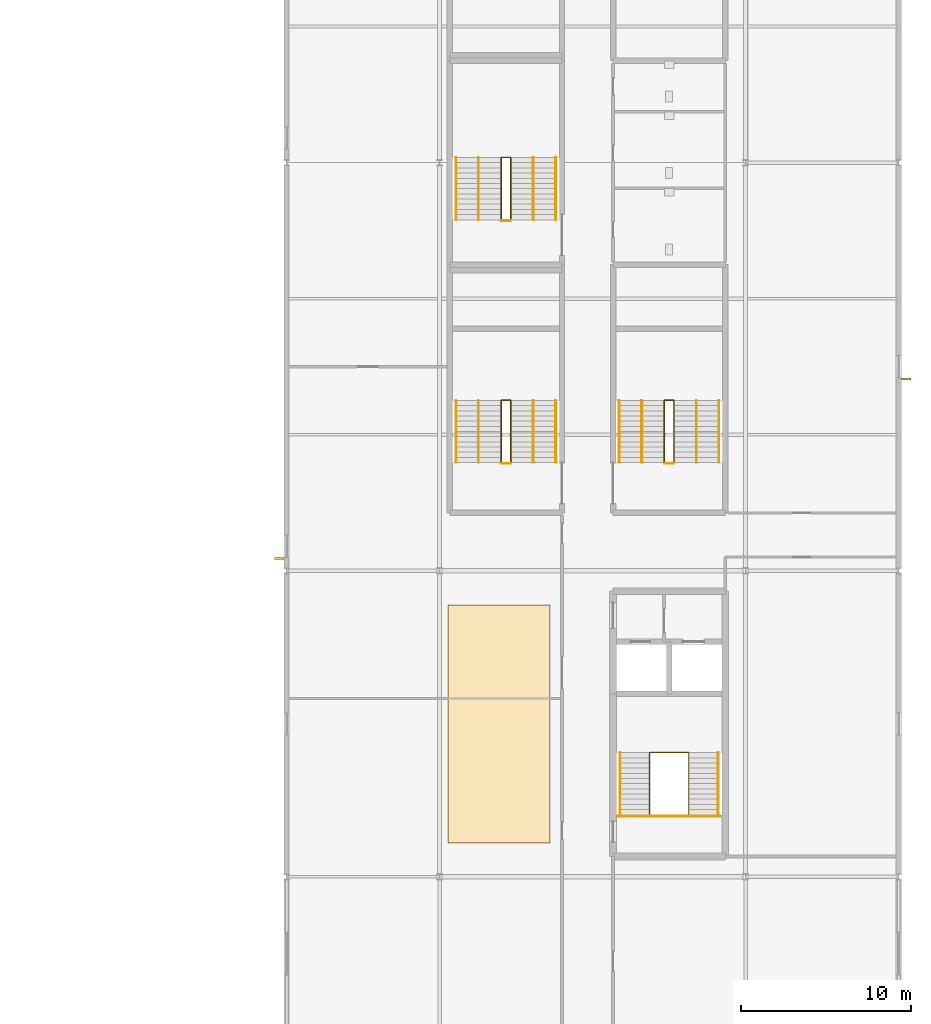
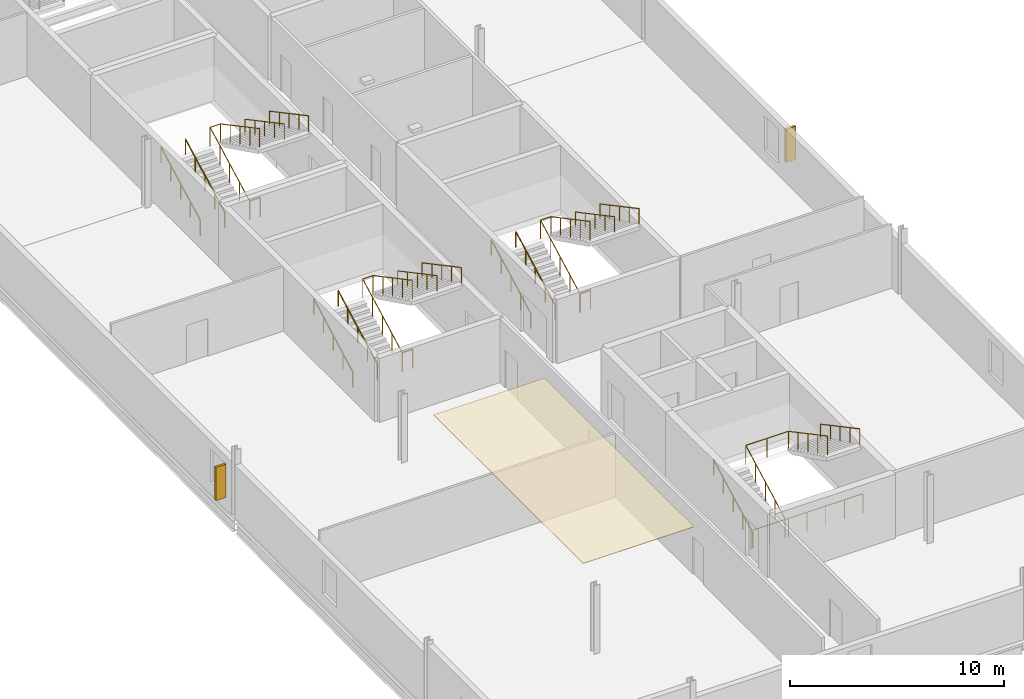
# One storey, part 25 of 27: 22 railings, 2 shading devices, 1 covering.
"""IFC4 building model written with IfcOpenShell, lengths in metres."""

import ifcopenshell
import ifcopenshell.guid

model = None  # the IFC model being written
_history = None  # IfcOwnerHistory: only IFC2X3 demands one
_inside = {}  # id of a spatial element -> (the spatial element, [elements in it])
_under = {}  # id of a project, library or spatial element -> (it, [spatial elements below it])
_declared = {}  # id of a project -> (the project, [libraries it declares])
_typed = {}  # id of a type object -> (the type object, [elements of that type])
_made_of = {}  # id of a material, layer set ... -> (it, [elements and type objects made of it])


def new_model(schema):
    """Start an empty IFC model of exactly this schema.

    Asked for "IFC4X3", IfcOpenShell would pick the latest addendum, in which some entities
    have other attributes; the version numbers below select the first issue.
    IFC2X3 requires an IfcOwnerHistory on every rooted entity: one is made here for all.
    """
    global model, _history
    if schema == "IFC4X3":
        model = ifcopenshell.file(schema_version=(4, 3, 0, 0))
    else:
        model = ifcopenshell.file(schema=schema)
    _inside.clear()
    _under.clear()
    _declared.clear()
    _typed.clear()
    _made_of.clear()
    _history = None
    if model.schema == "IFC2X3":
        org = make("IfcOrganization", Name="unknown")
        user = make(
            "IfcPersonAndOrganization",
            ThePerson=make("IfcPerson", FamilyName="unknown"),
            TheOrganization=org,
        )
        app = make(
            "IfcApplication",
            ApplicationDeveloper=org,
            Version="unknown",
            ApplicationFullName="unknown",
            ApplicationIdentifier="unknown",
        )
        _history = make(
            "IfcOwnerHistory",
            OwningUser=user,
            OwningApplication=app,
            ChangeAction="ADDED",
            CreationDate=0,
        )
    return model


def make(cls, **values):
    """One entity of the class cls with the attributes given. An attribute that is None is left unset."""
    return model.create_entity(
        cls, **{name: value for name, value in values.items() if value is not None}
    )


def rooted(cls, **values):
    """An entity with a GlobalId (a new one), such as an element, a storey or a relation."""
    return make(cls, GlobalId=ifcopenshell.guid.new(), OwnerHistory=_history, **values)


def si_unit(unit_type, name, prefix=None):
    """IfcSIUnit, for example si_unit("LENGTHUNIT", "METRE", prefix="MILLI")."""
    return make("IfcSIUnit", UnitType=unit_type, Prefix=prefix, Name=name)


def assignment(units):
    """IfcUnitAssignment: the units of a project."""
    return None if units is None else make("IfcUnitAssignment", Units=units)


def point(xyz):
    """IfcCartesianPoint."""
    return None if xyz is None else make("IfcCartesianPoint", Coordinates=xyz)


def direction(xyz):
    """IfcDirection."""
    return None if xyz is None else make("IfcDirection", DirectionRatios=xyz)


def frame(location, z_axis=None, x_axis=None):
    """IfcAxis2Placement3D, a coordinate frame: its origin and axes. An axis left out is left unset."""
    return make(
        "IfcAxis2Placement3D",
        Location=point(location),
        Axis=direction(z_axis),
        RefDirection=direction(x_axis),
    )


def frame_2d(location, x_axis=None):
    """IfcAxis2Placement2D, a coordinate frame in the plane: its origin and x axis."""
    return make(
        "IfcAxis2Placement2D", Location=point(location), RefDirection=direction(x_axis)
    )


def origin():
    """The frame at (0, 0, 0) with its axes left unset."""
    return frame((0.0, 0.0, 0.0))


def origin_2d():
    """The frame at (0, 0) in the plane with its x axis left unset."""
    return frame_2d((0.0, 0.0))


def place(relative_to, where):
    """IfcLocalPlacement: puts the frame where relative to a parent placement (None: the world)."""
    return make(
        "IfcLocalPlacement", PlacementRelTo=relative_to, RelativePlacement=where
    )


def context(
    kind, dimensions, precision=None, world=None, true_north=None, identifier=None
):
    """IfcGeometricRepresentationContext, for example the 3D "Model" context."""
    return make(
        "IfcGeometricRepresentationContext",
        ContextIdentifier=identifier,
        ContextType=kind,
        CoordinateSpaceDimension=dimensions,
        Precision=precision,
        WorldCoordinateSystem=world,
        TrueNorth=true_north,
    )


def subcontext(parent, identifier, kind, view, scale=None):
    """IfcGeometricRepresentationSubContext, for example "Body" below "Model"."""
    return make(
        "IfcGeometricRepresentationSubContext",
        ContextIdentifier=identifier,
        ContextType=kind,
        ParentContext=parent,
        TargetScale=scale,
        TargetView=view,
    )


def project(units=None, contexts=None):
    """IfcProject with its units and contexts."""
    return rooted(
        "IfcProject",
        Name="project",
        RepresentationContexts=contexts,
        UnitsInContext=assignment(units),
    )


def spatial(cls, under=None, at=None, **own):
    """A site, building, storey or space (cls), placed at a placement, below another one or the project."""
    s = rooted(cls, ObjectPlacement=at, **own)
    if under is not None:
        _under.setdefault(under.id(), (under, []))[1].append(s)
    return s


def polyline(points):
    """IfcPolyline through the points."""
    return make("IfcPolyline", Points=[point(p) for p in points])


def profile(cls, at=None, kind="AREA", **sizes):
    """A parametric profile (cls). Its sizes go by their IFC names, for example OverallWidth=200.0."""
    return make(cls, ProfileType=kind, Position=at, **sizes)


def rectangle(**sizes):
    """IfcRectangleProfileDef."""
    return profile("IfcRectangleProfileDef", **sizes)


def circle(**sizes):
    """IfcCircleProfileDef."""
    return profile("IfcCircleProfileDef", **sizes)


def outline(outer, holes=None, kind="AREA"):
    """IfcArbitraryClosedProfileDef: a profile drawn as a closed curve; with holes, ...WithVoids."""
    if holes is None:
        return make("IfcArbitraryClosedProfileDef", ProfileType=kind, OuterCurve=outer)
    return make(
        "IfcArbitraryProfileDefWithVoids",
        ProfileType=kind,
        OuterCurve=outer,
        InnerCurves=holes,
    )


def extrude(swept, where, along, depth):
    """IfcExtrudedAreaSolid: the profile swept, set in the frame where, extruded along a direction by depth."""
    return make(
        "IfcExtrudedAreaSolid",
        SweptArea=swept,
        Position=where,
        ExtrudedDirection=direction(along),
        Depth=depth,
    )


def shape(context_of_items, identifier, shape_type, items):
    """IfcShapeRepresentation: the items that make up one representation, for example the "Body"."""
    return make(
        "IfcShapeRepresentation",
        ContextOfItems=context_of_items,
        RepresentationIdentifier=identifier,
        RepresentationType=shape_type,
        Items=items,
    )


def material(Name=None, Category=None):
    """IfcMaterial."""
    return make("IfcMaterial", Name=Name, Category=Category)


def layer(
    of_material, thickness, ventilated=None, Name=None, Category=None, Priority=None
):
    """IfcMaterialLayer: one layer of a wall or slab, of a material (None: an air gap)."""
    return make(
        "IfcMaterialLayer",
        Material=of_material,
        LayerThickness=thickness,
        IsVentilated=ventilated,
        Name=Name,
        Category=Category,
        Priority=Priority,
    )


def layer_set(layers, Name=None):
    """IfcMaterialLayerSet."""
    return make("IfcMaterialLayerSet", MaterialLayers=layers, LayerSetName=Name)


def made_of(thing, what):
    """Note that an element or type object is made of a material, layer set ...; save() writes the relation."""
    if what is not None:
        _made_of.setdefault(what.id(), (what, []))[1].append(thing)
    return thing


def type_object(cls, material=None, **own):
    """A type object (cls), such as IfcWallType, which elements share."""
    return made_of(rooted(cls, **own), material)


def element(
    cls,
    number,
    at=None,
    inside=None,
    cuts=None,
    type_object=None,
    material=None,
    context=None,
    identifier="Body",
    shape_type=None,
    held_by="IfcProductDefinitionShape",
    body=None,
    shapes=None,
    **own,
):
    """One element of the class cls, such as IfcWall. Its Tag is "e" and its number.

    at: its placement. inside: the storey or other place that contains it. cuts: it is an
    opening in that element (IfcRelVoidsElement). A single representation is given by context,
    identifier, shape_type and body (its items); several are given by shapes. held_by: the class
    of the entity that holds the representations. save() writes the other relations.
    """
    e = rooted(cls, Tag="e%d" % number, ObjectPlacement=at, **own)
    if body is not None:
        shapes = [shape(context, identifier, shape_type, body)]
    if shapes is not None:
        e.Representation = make(held_by, Representations=shapes)
    if inside is not None:
        _inside.setdefault(inside.id(), (inside, []))[1].append(e)
    if cuts is not None:
        rooted(
            "IfcRelVoidsElement", RelatingBuildingElement=cuts, RelatedOpeningElement=e
        )
    if type_object is not None:
        _typed.setdefault(type_object.id(), (type_object, []))[1].append(e)
    return made_of(e, material)


def aggregate(whole, parts):
    """IfcRelAggregates: a whole, such as a stair, and the parts it consists of."""
    return rooted("IfcRelAggregates", RelatingObject=whole, RelatedObjects=parts)


def save(model, path):
    """Write the relations noted so far, then the file.

    IfcRelAggregates (storeys below a building ...), IfcRelContainedInSpatialStructure (elements
    in a storey), IfcRelDefinesByType, IfcRelAssociatesMaterial and IfcRelDeclares: one each for
    every whole, place, type object, material and project.
    """
    for whole, parts in _under.values():
        aggregate(whole, parts)
    for where, things in _inside.values():
        rooted(
            "IfcRelContainedInSpatialStructure",
            RelatedElements=things,
            RelatingStructure=where,
        )
    for kind, things in _typed.values():
        rooted("IfcRelDefinesByType", RelatedObjects=things, RelatingType=kind)
    for what, things in _made_of.values():
        rooted("IfcRelAssociatesMaterial", RelatedObjects=things, RelatingMaterial=what)
    for by, libraries in _declared.values():
        rooted("IfcRelDeclares", RelatingContext=by, RelatedDefinitions=libraries)
    model.write(path)


model = new_model("IFC4")

# Units and contexts
model_context = context("Model", 3, precision=1e-05, world=origin(), true_north=direction((0.0, 1.0)))
body_context = subcontext(model_context, "Body", "Model", "MODEL_VIEW")
ifc_project = project(units=[si_unit("LENGTHUNIT", "METRE"), si_unit("AREAUNIT", "SQUARE_METRE"), si_unit("VOLUMEUNIT", "CUBIC_METRE"), si_unit("PLANEANGLEUNIT", "RADIAN"), si_unit("MASSUNIT", "GRAM", prefix="KILO")], contexts=[model_context])

# Site, building, storey
site_placement = place(None, origin())
site = spatial("IfcSite", under=ifc_project, at=site_placement, CompositionType="ELEMENT")
building_placement = place(site_placement, origin())
building = spatial("IfcBuilding", under=site, at=building_placement, Name="Kisiwana Market Hall", CompositionType="ELEMENT")
storey_placement = place(building_placement, frame((0.0, 0.0, 41.699951171875)))
storey = spatial("IfcBuildingStorey", under=building, at=storey_placement, Name="L09", CompositionType="ELEMENT", Elevation=41.699951171875)

# Covering
ifc_material_1 = material(Name="Mineral-fibre acoustic ceiling board")
ifc_layer = layer(ifc_material_1, 0.02490234375)
ifc_layer_set = layer_set([ifc_layer], Name="COV-CEIL-AC")
covering_type = type_object("IfcCoveringType", Name="COV-CEIL-AC", PredefinedType="CEILING", material=ifc_layer_set)
covering_placement = place(storey_placement, frame((0.0, 0.0, 3.630126953125)))
element("IfcCovering", 1, at=covering_placement, inside=storey, type_object=covering_type, Name="Acoustic ceiling grid L09-024", PredefinedType="CEILING", context=body_context, shape_type="SweptSolid", body=[
    extrude(outline(polyline([(171.5, 20.0), (177.5, 20.0), (177.5, 34.0), (171.5, 34.0), (171.5, 20.0)])), origin(), (0.0, 0.0, 1.0), 0.02490234375),
])

# Railings
ifc_material_2 = material(Name="Steel S275", Category="steel")
railing_type_1 = type_object("IfcRailingType", Name="RL-GUARD-1100", PredefinedType="GUARDRAIL", material=ifc_material_2)
railing_1_placement = place(storey_placement, frame((183.35009765625, 21.6494140625, 0.0)))
element("IfcRailing", 2, at=railing_1_placement, inside=storey, type_object=railing_type_1, Name="Stair ST-E2-L09 inner-well guardrail (RL-1215)", PredefinedType="GUARDRAIL", context=body_context, shape_type="SweptSolid", body=[
    extrude(circle(Radius=0.02392578125, at=origin_2d()), frame((0.0, 0.0, 1.076171875), z_axis=(0.0, 0.882566327451, 0.470187917379), x_axis=(-1.0, 0.0, 0.0)), (0.0, 0.0, 1.0), 4.147216796875),
    extrude(circle(Radius=0.02392578125, at=origin_2d()), frame((0.0, 3.66015625, 3.02587890625), z_axis=(1.0, 0.0, 0.0), x_axis=(0.0, 1.0, 0.0)), (0.0, 0.0, 1.0), 2.2998046875),
    extrude(circle(Radius=0.02392578125, at=origin_2d()), frame((2.2998046875, 3.66015625, 3.02587890625), z_axis=(0.0, -0.882541897885, 0.470233770031), x_axis=(1.0, 0.0, 0.0)), (0.0, 0.0, 1.0), 4.147216796875),
    extrude(circle(Radius=0.02099609375, at=origin_2d()), origin(), (0.0, 0.0, 1.0), 1.052001953125),
    extrude(circle(Radius=0.02099609375, at=origin_2d()), frame((0.0, 0.9150390625, 0.487548828125)), (0.0, 0.0, 1.0), 1.052001953125),
    extrude(circle(Radius=0.02099609375, at=origin_2d()), frame((0.0, 1.830078125, 0.97509765625)), (0.0, 0.0, 1.0), 1.052001953125),
    extrude(circle(Radius=0.02099609375, at=origin_2d()), frame((0.0, 2.7451171875, 1.46240234375)), (0.0, 0.0, 1.0), 1.052001953125),
    extrude(circle(Radius=0.02099609375, at=origin_2d()), frame((0.0, 3.66015625, 1.949951171875)), (0.0, 0.0, 1.0), 1.052001953125),
    extrude(circle(Radius=0.02099609375, at=origin_2d()), frame((1.14990234375, 3.66015625, 1.949951171875)), (0.0, 0.0, 1.0), 1.052001953125),
    extrude(circle(Radius=0.02099609375, at=origin_2d()), frame((2.2998046875, 3.66015625, 1.949951171875)), (0.0, 0.0, 1.0), 1.052001953125),
    extrude(circle(Radius=0.02099609375, at=origin_2d()), frame((2.2998046875, 2.7451171875, 2.4375)), (0.0, 0.0, 1.0), 1.052001953125),
    extrude(circle(Radius=0.02099609375, at=origin_2d()), frame((2.2998046875, 1.830078125, 2.925048828125)), (0.0, 0.0, 1.0), 1.052001953125),
    extrude(circle(Radius=0.02099609375, at=origin_2d()), frame((2.2998046875, 0.9150390625, 3.41259765625)), (0.0, 0.0, 1.0), 1.052001953125),
    extrude(circle(Radius=0.02099609375, at=origin_2d()), frame((2.2998046875, 0.0, 3.900146484375)), (0.0, 0.0, 1.0), 1.052001953125),
])
railing_2_placement = place(storey_placement, frame((181.47998046875, 21.569580078125, 0.0)))
element("IfcRailing", 3, at=railing_2_placement, inside=storey, type_object=railing_type_1, Name="Stair ST-E2-L09 landing edge guardrail (RL-1218)", PredefinedType="GUARDRAIL", context=body_context, shape_type="SweptSolid", body=[
    extrude(circle(Radius=0.02392578125, at=origin_2d()), frame((0.0, 0.0, 1.076171875), z_axis=(1.0, 0.0, 0.0), x_axis=(0.0, 1.0, 0.0)), (0.0, 0.0, 1.0), 6.0400390625),
    extrude(circle(Radius=0.02099609375, at=origin_2d()), origin(), (0.0, 0.0, 1.0), 1.052001953125),
    extrude(circle(Radius=0.02099609375, at=origin_2d()), frame((1.006591796875, 0.0, 0.0)), (0.0, 0.0, 1.0), 1.052001953125),
    extrude(circle(Radius=0.02099609375, at=origin_2d()), frame((2.013427734375, 0.0, 0.0)), (0.0, 0.0, 1.0), 1.052001953125),
    extrude(circle(Radius=0.02099609375, at=origin_2d()), frame((3.02001953125, 0.0, 0.0)), (0.0, 0.0, 1.0), 1.052001953125),
    extrude(circle(Radius=0.02099609375, at=origin_2d()), frame((4.026611328125, 0.0, 0.0)), (0.0, 0.0, 1.0), 1.052001953125),
    extrude(circle(Radius=0.02099609375, at=origin_2d()), frame((5.033447265625, 0.0, 0.0)), (0.0, 0.0, 1.0), 1.052001953125),
    extrude(circle(Radius=0.02099609375, at=origin_2d()), frame((6.0400390625, 0.0, 0.0)), (0.0, 0.0, 1.0), 1.052001953125),
])
railing_3_placement = place(storey_placement, frame((184.219970703125, 42.360107421875, 0.0)))
element("IfcRailing", 4, at=railing_3_placement, inside=storey, type_object=railing_type_1, Name="Stair ST-E3-L09 inner-well guardrail (RL-1235)", PredefinedType="GUARDRAIL", context=body_context, shape_type="SweptSolid", body=[
    extrude(circle(Radius=0.02392578125, at=origin_2d()), frame((0.0, 0.0, 1.076171875), z_axis=(0.0, 0.88255331184, 0.47021234752), x_axis=(-1.0, 0.0, 0.0)), (0.0, 0.0, 1.0), 4.14697265625),
    extrude(circle(Radius=0.02392578125, at=origin_2d()), frame((0.0, 3.659912109375, 3.02587890625), z_axis=(1.0, 0.0, 0.0), x_axis=(0.0, 1.0, 0.0)), (0.0, 0.0, 1.0), 0.56005859375),
    extrude(circle(Radius=0.02392578125, at=origin_2d()), frame((0.56005859375, 3.659912109375, 3.02587890625), z_axis=(0.0, -0.882528880096, 0.470258201201), x_axis=(1.0, 0.0, 0.0)), (0.0, 0.0, 1.0), 4.14697265625),
    extrude(circle(Radius=0.02099609375, at=origin_2d()), origin(), (0.0, 0.0, 1.0), 1.052001953125),
    extrude(circle(Radius=0.02099609375, at=origin_2d()), frame((0.0, 0.9150390625, 0.487548828125)), (0.0, 0.0, 1.0), 1.052001953125),
    extrude(circle(Radius=0.02099609375, at=origin_2d()), frame((0.0, 1.830078125, 0.97509765625)), (0.0, 0.0, 1.0), 1.052001953125),
    extrude(circle(Radius=0.02099609375, at=origin_2d()), frame((0.0, 2.744873046875, 1.46240234375)), (0.0, 0.0, 1.0), 1.052001953125),
    extrude(circle(Radius=0.02099609375, at=origin_2d()), frame((0.0, 3.659912109375, 1.949951171875)), (0.0, 0.0, 1.0), 1.052001953125),
    extrude(circle(Radius=0.02099609375, at=origin_2d()), frame((0.56005859375, 3.659912109375, 1.949951171875)), (0.0, 0.0, 1.0), 1.052001953125),
    extrude(circle(Radius=0.02099609375, at=origin_2d()), frame((0.56005859375, 2.744873046875, 2.4375)), (0.0, 0.0, 1.0), 1.052001953125),
    extrude(circle(Radius=0.02099609375, at=origin_2d()), frame((0.56005859375, 1.830078125, 2.925048828125)), (0.0, 0.0, 1.0), 1.052001953125),
    extrude(circle(Radius=0.02099609375, at=origin_2d()), frame((0.56005859375, 0.9150390625, 3.41259765625)), (0.0, 0.0, 1.0), 1.052001953125),
    extrude(circle(Radius=0.02099609375, at=origin_2d()), frame((0.56005859375, 0.0, 3.900146484375)), (0.0, 0.0, 1.0), 1.052001953125),
])
railing_4_placement = place(storey_placement, frame((184.219970703125, 42.31005859375, 0.0)))
element("IfcRailing", 5, at=railing_4_placement, inside=storey, type_object=railing_type_1, Name="Stair ST-E3-L09 landing edge guardrail (RL-1240)", PredefinedType="GUARDRAIL", context=body_context, shape_type="SweptSolid", body=[
    extrude(circle(Radius=0.02392578125, at=origin_2d()), frame((0.0, 0.0, 1.076171875), z_axis=(1.0, 0.0, 0.0), x_axis=(0.0, 1.0, 0.0)), (0.0, 0.0, 1.0), 0.56005859375),
    extrude(circle(Radius=0.02099609375, at=origin_2d()), origin(), (0.0, 0.0, 1.0), 1.052001953125),
    extrude(circle(Radius=0.02099609375, at=origin_2d()), frame((0.56005859375, 0.0, 0.0)), (0.0, 0.0, 1.0), 1.052001953125),
])
railing_5_placement = place(storey_placement, frame((174.6201171875, 42.360107421875, 0.0)))
element("IfcRailing", 6, at=railing_5_placement, inside=storey, type_object=railing_type_1, Name="Stair ST-E7-L09 inner-well guardrail (RL-1253)", PredefinedType="GUARDRAIL", context=body_context, shape_type="SweptSolid", body=[
    extrude(circle(Radius=0.02392578125, at=origin_2d()), frame((0.0, 0.0, 1.076171875), z_axis=(0.0, 0.88255331184, 0.47021234752), x_axis=(-1.0, 0.0, 0.0)), (0.0, 0.0, 1.0), 4.14697265625),
    extrude(circle(Radius=0.02392578125, at=origin_2d()), frame((0.0, 3.659912109375, 3.02587890625), z_axis=(1.0, 0.0, 0.0), x_axis=(0.0, 1.0, 0.0)), (0.0, 0.0, 1.0), 0.559814453125),
    extrude(circle(Radius=0.02392578125, at=origin_2d()), frame((0.559814453125, 3.659912109375, 3.02587890625), z_axis=(0.0, -0.882528880096, 0.470258201201), x_axis=(1.0, 0.0, 0.0)), (0.0, 0.0, 1.0), 4.14697265625),
    extrude(circle(Radius=0.02099609375, at=origin_2d()), origin(), (0.0, 0.0, 1.0), 1.052001953125),
    extrude(circle(Radius=0.02099609375, at=origin_2d()), frame((0.0, 0.9150390625, 0.487548828125)), (0.0, 0.0, 1.0), 1.052001953125),
    extrude(circle(Radius=0.02099609375, at=origin_2d()), frame((0.0, 1.830078125, 0.97509765625)), (0.0, 0.0, 1.0), 1.052001953125),
    extrude(circle(Radius=0.02099609375, at=origin_2d()), frame((0.0, 2.744873046875, 1.46240234375)), (0.0, 0.0, 1.0), 1.052001953125),
    extrude(circle(Radius=0.02099609375, at=origin_2d()), frame((0.0, 3.659912109375, 1.949951171875)), (0.0, 0.0, 1.0), 1.052001953125),
    extrude(circle(Radius=0.02099609375, at=origin_2d()), frame((0.559814453125, 3.659912109375, 1.949951171875)), (0.0, 0.0, 1.0), 1.052001953125),
    extrude(circle(Radius=0.02099609375, at=origin_2d()), frame((0.559814453125, 2.744873046875, 2.4375)), (0.0, 0.0, 1.0), 1.052001953125),
    extrude(circle(Radius=0.02099609375, at=origin_2d()), frame((0.559814453125, 1.830078125, 2.925048828125)), (0.0, 0.0, 1.0), 1.052001953125),
    extrude(circle(Radius=0.02099609375, at=origin_2d()), frame((0.559814453125, 0.9150390625, 3.41259765625)), (0.0, 0.0, 1.0), 1.052001953125),
    extrude(circle(Radius=0.02099609375, at=origin_2d()), frame((0.559814453125, 0.0, 3.900146484375)), (0.0, 0.0, 1.0), 1.052001953125),
])
railing_6_placement = place(storey_placement, frame((174.6201171875, 42.31005859375, 0.0)))
element("IfcRailing", 7, at=railing_6_placement, inside=storey, type_object=railing_type_1, Name="Stair ST-E7-L09 landing edge guardrail (RL-1258)", PredefinedType="GUARDRAIL", context=body_context, shape_type="SweptSolid", body=[
    extrude(circle(Radius=0.02392578125, at=origin_2d()), frame((0.0, 0.0, 1.076171875), z_axis=(1.0, 0.0, 0.0), x_axis=(0.0, 1.0, 0.0)), (0.0, 0.0, 1.0), 0.559814453125),
    extrude(circle(Radius=0.02099609375, at=origin_2d()), origin(), (0.0, 0.0, 1.0), 1.052001953125),
    extrude(circle(Radius=0.02099609375, at=origin_2d()), frame((0.559814453125, 0.0, 0.0)), (0.0, 0.0, 1.0), 1.052001953125),
])
railing_7_placement = place(storey_placement, frame((174.6201171875, 56.639892578125, 0.0)))
element("IfcRailing", 8, at=railing_7_placement, inside=storey, type_object=railing_type_1, Name="Stair ST-E5-L09 inner-well guardrail (RL-1277)", PredefinedType="GUARDRAIL", context=body_context, shape_type="SweptSolid", body=[
    extrude(circle(Radius=0.02392578125, at=origin_2d()), frame((0.0, 0.0, 1.076171875), z_axis=(0.0, 0.882566327451, 0.470187917379), x_axis=(-1.0, 0.0, 0.0)), (0.0, 0.0, 1.0), 4.147216796875),
    extrude(circle(Radius=0.02392578125, at=origin_2d()), frame((0.0, 3.66015625, 3.02587890625), z_axis=(1.0, 0.0, 0.0), x_axis=(0.0, 1.0, 0.0)), (0.0, 0.0, 1.0), 0.559814453125),
    extrude(circle(Radius=0.02392578125, at=origin_2d()), frame((0.559814453125, 3.66015625, 3.02587890625), z_axis=(0.0, -0.882541897885, 0.470233770031), x_axis=(1.0, 0.0, 0.0)), (0.0, 0.0, 1.0), 4.147216796875),
    extrude(circle(Radius=0.02099609375, at=origin_2d()), origin(), (0.0, 0.0, 1.0), 1.052001953125),
    extrude(circle(Radius=0.02099609375, at=origin_2d()), frame((0.0, 0.9150390625, 0.487548828125)), (0.0, 0.0, 1.0), 1.052001953125),
    extrude(circle(Radius=0.02099609375, at=origin_2d()), frame((0.0, 1.830078125, 0.97509765625)), (0.0, 0.0, 1.0), 1.052001953125),
    extrude(circle(Radius=0.02099609375, at=origin_2d()), frame((0.0, 2.7451171875, 1.46240234375)), (0.0, 0.0, 1.0), 1.052001953125),
    extrude(circle(Radius=0.02099609375, at=origin_2d()), frame((0.0, 3.66015625, 1.949951171875)), (0.0, 0.0, 1.0), 1.052001953125),
    extrude(circle(Radius=0.02099609375, at=origin_2d()), frame((0.559814453125, 3.66015625, 1.949951171875)), (0.0, 0.0, 1.0), 1.052001953125),
    extrude(circle(Radius=0.02099609375, at=origin_2d()), frame((0.559814453125, 2.7451171875, 2.4375)), (0.0, 0.0, 1.0), 1.052001953125),
    extrude(circle(Radius=0.02099609375, at=origin_2d()), frame((0.559814453125, 1.830078125, 2.925048828125)), (0.0, 0.0, 1.0), 1.052001953125),
    extrude(circle(Radius=0.02099609375, at=origin_2d()), frame((0.559814453125, 0.9150390625, 3.41259765625)), (0.0, 0.0, 1.0), 1.052001953125),
    extrude(circle(Radius=0.02099609375, at=origin_2d()), frame((0.559814453125, 0.0, 3.900146484375)), (0.0, 0.0, 1.0), 1.052001953125),
])
railing_8_placement = place(storey_placement, frame((174.6201171875, 56.590087890625, 0.0)))
element("IfcRailing", 9, at=railing_8_placement, inside=storey, type_object=railing_type_1, Name="Stair ST-E5-L09 landing edge guardrail (RL-1282)", PredefinedType="GUARDRAIL", context=body_context, shape_type="SweptSolid", body=[
    extrude(circle(Radius=0.02392578125, at=origin_2d()), frame((0.0, 0.0, 1.076171875), z_axis=(1.0, 0.0, 0.0), x_axis=(0.0, 1.0, 0.0)), (0.0, 0.0, 1.0), 0.559814453125),
    extrude(circle(Radius=0.02099609375, at=origin_2d()), origin(), (0.0, 0.0, 1.0), 1.052001953125),
    extrude(circle(Radius=0.02099609375, at=origin_2d()), frame((0.559814453125, 0.0, 0.0)), (0.0, 0.0, 1.0), 1.052001953125),
])
ifc_material_3 = material(Name="Steel S275", Category="steel")
railing_type_2 = type_object("IfcRailingType", Name="RL-HAND-900", PredefinedType="HANDRAIL", material=ifc_material_3)
railing_9_placement = place(storey_placement, frame((181.610107421875, 21.6494140625, 0.0)))
element("IfcRailing", 10, at=railing_9_placement, inside=storey, type_object=railing_type_2, Name="Stair ST-E2-L09 flight 1 handrail (RL-1216)", PredefinedType="HANDRAIL", context=body_context, shape_type="SweptSolid", body=[
    extrude(circle(Radius=0.02392578125, at=origin_2d()), frame((0.0, 0.0, 0.8759765625), z_axis=(0.0, 0.882566327451, 0.470187917379), x_axis=(-1.0, 0.0, 0.0)), (0.0, 0.0, 1.0), 4.147216796875),
    extrude(circle(Radius=0.02099609375, at=origin_2d()), origin(), (0.0, 0.0, 1.0), 0.851806640625),
    extrude(circle(Radius=0.02099609375, at=origin_2d()), frame((0.0, 0.9150390625, 0.487548828125)), (0.0, 0.0, 1.0), 0.851806640625),
    extrude(circle(Radius=0.02099609375, at=origin_2d()), frame((0.0, 1.830078125, 0.97509765625)), (0.0, 0.0, 1.0), 0.851806640625),
    extrude(circle(Radius=0.02099609375, at=origin_2d()), frame((0.0, 2.7451171875, 1.46240234375)), (0.0, 0.0, 1.0), 0.851806640625),
    extrude(circle(Radius=0.02099609375, at=origin_2d()), frame((0.0, 3.66015625, 1.949951171875)), (0.0, 0.0, 1.0), 0.851806640625),
])
railing_10_placement = place(storey_placement, frame((187.389892578125, 25.3095703125, 1.949951171875)))
element("IfcRailing", 11, at=railing_10_placement, inside=storey, type_object=railing_type_2, Name="Stair ST-E2-L09 flight 2 handrail (RL-1217)", PredefinedType="HANDRAIL", context=body_context, shape_type="SweptSolid", body=[
    extrude(circle(Radius=0.02392578125, at=origin_2d()), frame((0.0, 0.0, 0.8759765625), z_axis=(0.0, -0.882541897885, 0.470233770031), x_axis=(1.0, 0.0, 0.0)), (0.0, 0.0, 1.0), 4.147216796875),
    extrude(circle(Radius=0.02099609375, at=origin_2d()), origin(), (0.0, 0.0, 1.0), 0.851806640625),
    extrude(circle(Radius=0.02099609375, at=origin_2d()), frame((0.0, -0.9150390625, 0.487548828125)), (0.0, 0.0, 1.0), 0.851806640625),
    extrude(circle(Radius=0.02099609375, at=origin_2d()), frame((0.0, -1.830078125, 0.97509765625)), (0.0, 0.0, 1.0), 0.851806640625),
    extrude(circle(Radius=0.02099609375, at=origin_2d()), frame((0.0, -2.7451171875, 1.462646484375)), (0.0, 0.0, 1.0), 0.851806640625),
    extrude(circle(Radius=0.02099609375, at=origin_2d()), frame((0.0, -3.66015625, 1.9501953125)), (0.0, 0.0, 1.0), 0.851806640625),
])
railing_11_placement = place(storey_placement, frame((181.570068359375, 42.360107421875, 0.0)))
element("IfcRailing", 12, at=railing_11_placement, inside=storey, type_object=railing_type_2, Name="Stair ST-E3-L09 flight 1 handrail (RL-1236)", PredefinedType="HANDRAIL", context=body_context, shape_type="SweptSolid", body=[
    extrude(circle(Radius=0.02392578125, at=origin_2d()), frame((0.0, 0.0, 0.8759765625), z_axis=(0.0, 0.88255331184, 0.47021234752), x_axis=(-1.0, 0.0, 0.0)), (0.0, 0.0, 1.0), 4.14697265625),
    extrude(circle(Radius=0.02099609375, at=origin_2d()), origin(), (0.0, 0.0, 1.0), 0.851806640625),
    extrude(circle(Radius=0.02099609375, at=origin_2d()), frame((0.0, 0.9150390625, 0.487548828125)), (0.0, 0.0, 1.0), 0.851806640625),
    extrude(circle(Radius=0.02099609375, at=origin_2d()), frame((0.0, 1.830078125, 0.97509765625)), (0.0, 0.0, 1.0), 0.851806640625),
    extrude(circle(Radius=0.02099609375, at=origin_2d()), frame((0.0, 2.744873046875, 1.46240234375)), (0.0, 0.0, 1.0), 0.851806640625),
    extrude(circle(Radius=0.02099609375, at=origin_2d()), frame((0.0, 3.659912109375, 1.949951171875)), (0.0, 0.0, 1.0), 0.851806640625),
])
railing_12_placement = place(storey_placement, frame((187.429931640625, 46.02001953125, 1.949951171875)))
element("IfcRailing", 13, at=railing_12_placement, inside=storey, type_object=railing_type_2, Name="Stair ST-E3-L09 flight 2 handrail (RL-1237)", PredefinedType="HANDRAIL", context=body_context, shape_type="SweptSolid", body=[
    extrude(circle(Radius=0.02392578125, at=origin_2d()), frame((0.0, 0.0, 0.8759765625), z_axis=(0.0, -0.882528880096, 0.470258201201), x_axis=(1.0, 0.0, 0.0)), (0.0, 0.0, 1.0), 4.14697265625),
    extrude(circle(Radius=0.02099609375, at=origin_2d()), origin(), (0.0, 0.0, 1.0), 0.851806640625),
    extrude(circle(Radius=0.02099609375, at=origin_2d()), frame((0.0, -0.9150390625, 0.487548828125)), (0.0, 0.0, 1.0), 0.851806640625),
    extrude(circle(Radius=0.02099609375, at=origin_2d()), frame((0.0, -1.830078125, 0.97509765625)), (0.0, 0.0, 1.0), 0.851806640625),
    extrude(circle(Radius=0.02099609375, at=origin_2d()), frame((0.0, -2.744873046875, 1.462646484375)), (0.0, 0.0, 1.0), 0.851806640625),
    extrude(circle(Radius=0.02099609375, at=origin_2d()), frame((0.0, -3.659912109375, 1.9501953125)), (0.0, 0.0, 1.0), 0.851806640625),
])
railing_13_placement = place(storey_placement, frame((182.889892578125, 42.360107421875, 0.0)))
element("IfcRailing", 14, at=railing_13_placement, inside=storey, type_object=railing_type_2, Name="Stair ST-E3-L09 flight 1 intermediate handrail (RL-1238)", PredefinedType="HANDRAIL", context=body_context, shape_type="SweptSolid", body=[
    extrude(circle(Radius=0.02392578125, at=origin_2d()), frame((0.0, 0.0, 0.8759765625), z_axis=(0.0, 0.88255331184, 0.47021234752), x_axis=(-1.0, 0.0, 0.0)), (0.0, 0.0, 1.0), 4.14697265625),
    extrude(circle(Radius=0.02099609375, at=origin_2d()), origin(), (0.0, 0.0, 1.0), 0.851806640625),
    extrude(circle(Radius=0.02099609375, at=origin_2d()), frame((0.0, 0.9150390625, 0.487548828125)), (0.0, 0.0, 1.0), 0.851806640625),
    extrude(circle(Radius=0.02099609375, at=origin_2d()), frame((0.0, 1.830078125, 0.97509765625)), (0.0, 0.0, 1.0), 0.851806640625),
    extrude(circle(Radius=0.02099609375, at=origin_2d()), frame((0.0, 2.744873046875, 1.46240234375)), (0.0, 0.0, 1.0), 0.851806640625),
    extrude(circle(Radius=0.02099609375, at=origin_2d()), frame((0.0, 3.659912109375, 1.949951171875)), (0.0, 0.0, 1.0), 0.851806640625),
])
railing_14_placement = place(storey_placement, frame((186.110107421875, 46.02001953125, 1.949951171875)))
element("IfcRailing", 15, at=railing_14_placement, inside=storey, type_object=railing_type_2, Name="Stair ST-E3-L09 flight 2 intermediate handrail (RL-1239)", PredefinedType="HANDRAIL", context=body_context, shape_type="SweptSolid", body=[
    extrude(circle(Radius=0.02392578125, at=origin_2d()), frame((0.0, 0.0, 0.8759765625), z_axis=(0.0, -0.882528880096, 0.470258201201), x_axis=(1.0, 0.0, 0.0)), (0.0, 0.0, 1.0), 4.14697265625),
    extrude(circle(Radius=0.02099609375, at=origin_2d()), origin(), (0.0, 0.0, 1.0), 0.851806640625),
    extrude(circle(Radius=0.02099609375, at=origin_2d()), frame((0.0, -0.9150390625, 0.487548828125)), (0.0, 0.0, 1.0), 0.851806640625),
    extrude(circle(Radius=0.02099609375, at=origin_2d()), frame((0.0, -1.830078125, 0.97509765625)), (0.0, 0.0, 1.0), 0.851806640625),
    extrude(circle(Radius=0.02099609375, at=origin_2d()), frame((0.0, -2.744873046875, 1.462646484375)), (0.0, 0.0, 1.0), 0.851806640625),
    extrude(circle(Radius=0.02099609375, at=origin_2d()), frame((0.0, -3.659912109375, 1.9501953125)), (0.0, 0.0, 1.0), 0.851806640625),
])
railing_15_placement = place(storey_placement, frame((171.969970703125, 42.360107421875, 0.0)))
element("IfcRailing", 16, at=railing_15_placement, inside=storey, type_object=railing_type_2, Name="Stair ST-E7-L09 flight 1 handrail (RL-1254)", PredefinedType="HANDRAIL", context=body_context, shape_type="SweptSolid", body=[
    extrude(circle(Radius=0.02392578125, at=origin_2d()), frame((0.0, 0.0, 0.8759765625), z_axis=(0.0, 0.88255331184, 0.47021234752), x_axis=(-1.0, 0.0, 0.0)), (0.0, 0.0, 1.0), 4.14697265625),
    extrude(circle(Radius=0.02099609375, at=origin_2d()), origin(), (0.0, 0.0, 1.0), 0.851806640625),
    extrude(circle(Radius=0.02099609375, at=origin_2d()), frame((0.0, 0.9150390625, 0.487548828125)), (0.0, 0.0, 1.0), 0.851806640625),
    extrude(circle(Radius=0.02099609375, at=origin_2d()), frame((0.0, 1.830078125, 0.97509765625)), (0.0, 0.0, 1.0), 0.851806640625),
    extrude(circle(Radius=0.02099609375, at=origin_2d()), frame((0.0, 2.744873046875, 1.46240234375)), (0.0, 0.0, 1.0), 0.851806640625),
    extrude(circle(Radius=0.02099609375, at=origin_2d()), frame((0.0, 3.659912109375, 1.949951171875)), (0.0, 0.0, 1.0), 0.851806640625),
])
railing_16_placement = place(storey_placement, frame((177.830078125, 46.02001953125, 1.949951171875)))
element("IfcRailing", 17, at=railing_16_placement, inside=storey, type_object=railing_type_2, Name="Stair ST-E7-L09 flight 2 handrail (RL-1255)", PredefinedType="HANDRAIL", context=body_context, shape_type="SweptSolid", body=[
    extrude(circle(Radius=0.02392578125, at=origin_2d()), frame((0.0, 0.0, 0.8759765625), z_axis=(0.0, -0.882528880096, 0.470258201201), x_axis=(1.0, 0.0, 0.0)), (0.0, 0.0, 1.0), 4.14697265625),
    extrude(circle(Radius=0.02099609375, at=origin_2d()), origin(), (0.0, 0.0, 1.0), 0.851806640625),
    extrude(circle(Radius=0.02099609375, at=origin_2d()), frame((0.0, -0.9150390625, 0.487548828125)), (0.0, 0.0, 1.0), 0.851806640625),
    extrude(circle(Radius=0.02099609375, at=origin_2d()), frame((0.0, -1.830078125, 0.97509765625)), (0.0, 0.0, 1.0), 0.851806640625),
    extrude(circle(Radius=0.02099609375, at=origin_2d()), frame((0.0, -2.744873046875, 1.462646484375)), (0.0, 0.0, 1.0), 0.851806640625),
    extrude(circle(Radius=0.02099609375, at=origin_2d()), frame((0.0, -3.659912109375, 1.9501953125)), (0.0, 0.0, 1.0), 0.851806640625),
])
railing_17_placement = place(storey_placement, frame((173.2900390625, 42.360107421875, 0.0)))
element("IfcRailing", 18, at=railing_17_placement, inside=storey, type_object=railing_type_2, Name="Stair ST-E7-L09 flight 1 intermediate handrail (RL-1256)", PredefinedType="HANDRAIL", context=body_context, shape_type="SweptSolid", body=[
    extrude(circle(Radius=0.02392578125, at=origin_2d()), frame((0.0, 0.0, 0.8759765625), z_axis=(0.0, 0.88255331184, 0.47021234752), x_axis=(-1.0, 0.0, 0.0)), (0.0, 0.0, 1.0), 4.14697265625),
    extrude(circle(Radius=0.02099609375, at=origin_2d()), origin(), (0.0, 0.0, 1.0), 0.851806640625),
    extrude(circle(Radius=0.02099609375, at=origin_2d()), frame((0.0, 0.9150390625, 0.487548828125)), (0.0, 0.0, 1.0), 0.851806640625),
    extrude(circle(Radius=0.02099609375, at=origin_2d()), frame((0.0, 1.830078125, 0.97509765625)), (0.0, 0.0, 1.0), 0.851806640625),
    extrude(circle(Radius=0.02099609375, at=origin_2d()), frame((0.0, 2.744873046875, 1.46240234375)), (0.0, 0.0, 1.0), 0.851806640625),
    extrude(circle(Radius=0.02099609375, at=origin_2d()), frame((0.0, 3.659912109375, 1.949951171875)), (0.0, 0.0, 1.0), 0.851806640625),
])
railing_18_placement = place(storey_placement, frame((176.510009765625, 46.02001953125, 1.949951171875)))
element("IfcRailing", 19, at=railing_18_placement, inside=storey, type_object=railing_type_2, Name="Stair ST-E7-L09 flight 2 intermediate handrail (RL-1257)", PredefinedType="HANDRAIL", context=body_context, shape_type="SweptSolid", body=[
    extrude(circle(Radius=0.02392578125, at=origin_2d()), frame((0.0, 0.0, 0.8759765625), z_axis=(0.0, -0.882528880096, 0.470258201201), x_axis=(1.0, 0.0, 0.0)), (0.0, 0.0, 1.0), 4.14697265625),
    extrude(circle(Radius=0.02099609375, at=origin_2d()), origin(), (0.0, 0.0, 1.0), 0.851806640625),
    extrude(circle(Radius=0.02099609375, at=origin_2d()), frame((0.0, -0.9150390625, 0.487548828125)), (0.0, 0.0, 1.0), 0.851806640625),
    extrude(circle(Radius=0.02099609375, at=origin_2d()), frame((0.0, -1.830078125, 0.97509765625)), (0.0, 0.0, 1.0), 0.851806640625),
    extrude(circle(Radius=0.02099609375, at=origin_2d()), frame((0.0, -2.744873046875, 1.462646484375)), (0.0, 0.0, 1.0), 0.851806640625),
    extrude(circle(Radius=0.02099609375, at=origin_2d()), frame((0.0, -3.659912109375, 1.9501953125)), (0.0, 0.0, 1.0), 0.851806640625),
])
railing_19_placement = place(storey_placement, frame((171.969970703125, 56.639892578125, 0.0)))
element("IfcRailing", 20, at=railing_19_placement, inside=storey, type_object=railing_type_2, Name="Stair ST-E5-L09 flight 1 handrail (RL-1278)", PredefinedType="HANDRAIL", context=body_context, shape_type="SweptSolid", body=[
    extrude(circle(Radius=0.02392578125, at=origin_2d()), frame((0.0, 0.0, 0.8759765625), z_axis=(0.0, 0.882566327451, 0.470187917379), x_axis=(-1.0, 0.0, 0.0)), (0.0, 0.0, 1.0), 4.147216796875),
    extrude(circle(Radius=0.02099609375, at=origin_2d()), origin(), (0.0, 0.0, 1.0), 0.851806640625),
    extrude(circle(Radius=0.02099609375, at=origin_2d()), frame((0.0, 0.9150390625, 0.487548828125)), (0.0, 0.0, 1.0), 0.851806640625),
    extrude(circle(Radius=0.02099609375, at=origin_2d()), frame((0.0, 1.830078125, 0.97509765625)), (0.0, 0.0, 1.0), 0.851806640625),
    extrude(circle(Radius=0.02099609375, at=origin_2d()), frame((0.0, 2.7451171875, 1.46240234375)), (0.0, 0.0, 1.0), 0.851806640625),
    extrude(circle(Radius=0.02099609375, at=origin_2d()), frame((0.0, 3.66015625, 1.949951171875)), (0.0, 0.0, 1.0), 0.851806640625),
])
railing_20_placement = place(storey_placement, frame((177.830078125, 60.300048828125, 1.949951171875)))
element("IfcRailing", 21, at=railing_20_placement, inside=storey, type_object=railing_type_2, Name="Stair ST-E5-L09 flight 2 handrail (RL-1279)", PredefinedType="HANDRAIL", context=body_context, shape_type="SweptSolid", body=[
    extrude(circle(Radius=0.02392578125, at=origin_2d()), frame((0.0, 0.0, 0.8759765625), z_axis=(0.0, -0.882541897885, 0.470233770031), x_axis=(1.0, 0.0, 0.0)), (0.0, 0.0, 1.0), 4.147216796875),
    extrude(circle(Radius=0.02099609375, at=origin_2d()), origin(), (0.0, 0.0, 1.0), 0.851806640625),
    extrude(circle(Radius=0.02099609375, at=origin_2d()), frame((0.0, -0.9150390625, 0.487548828125)), (0.0, 0.0, 1.0), 0.851806640625),
    extrude(circle(Radius=0.02099609375, at=origin_2d()), frame((0.0, -1.830078125, 0.97509765625)), (0.0, 0.0, 1.0), 0.851806640625),
    extrude(circle(Radius=0.02099609375, at=origin_2d()), frame((0.0, -2.7451171875, 1.462646484375)), (0.0, 0.0, 1.0), 0.851806640625),
    extrude(circle(Radius=0.02099609375, at=origin_2d()), frame((0.0, -3.66015625, 1.9501953125)), (0.0, 0.0, 1.0), 0.851806640625),
])
railing_21_placement = place(storey_placement, frame((173.2900390625, 56.639892578125, 0.0)))
element("IfcRailing", 22, at=railing_21_placement, inside=storey, type_object=railing_type_2, Name="Stair ST-E5-L09 flight 1 intermediate handrail (RL-1280)", PredefinedType="HANDRAIL", context=body_context, shape_type="SweptSolid", body=[
    extrude(circle(Radius=0.02392578125, at=origin_2d()), frame((0.0, 0.0, 0.8759765625), z_axis=(0.0, 0.882566327451, 0.470187917379), x_axis=(-1.0, 0.0, 0.0)), (0.0, 0.0, 1.0), 4.147216796875),
    extrude(circle(Radius=0.02099609375, at=origin_2d()), origin(), (0.0, 0.0, 1.0), 0.851806640625),
    extrude(circle(Radius=0.02099609375, at=origin_2d()), frame((0.0, 0.9150390625, 0.487548828125)), (0.0, 0.0, 1.0), 0.851806640625),
    extrude(circle(Radius=0.02099609375, at=origin_2d()), frame((0.0, 1.830078125, 0.97509765625)), (0.0, 0.0, 1.0), 0.851806640625),
    extrude(circle(Radius=0.02099609375, at=origin_2d()), frame((0.0, 2.7451171875, 1.46240234375)), (0.0, 0.0, 1.0), 0.851806640625),
    extrude(circle(Radius=0.02099609375, at=origin_2d()), frame((0.0, 3.66015625, 1.949951171875)), (0.0, 0.0, 1.0), 0.851806640625),
])
railing_22_placement = place(storey_placement, frame((176.510009765625, 60.300048828125, 1.949951171875)))
element("IfcRailing", 23, at=railing_22_placement, inside=storey, type_object=railing_type_2, Name="Stair ST-E5-L09 flight 2 intermediate handrail (RL-1281)", PredefinedType="HANDRAIL", context=body_context, shape_type="SweptSolid", body=[
    extrude(circle(Radius=0.02392578125, at=origin_2d()), frame((0.0, 0.0, 0.8759765625), z_axis=(0.0, -0.882541897885, 0.470233770031), x_axis=(1.0, 0.0, 0.0)), (0.0, 0.0, 1.0), 4.147216796875),
    extrude(circle(Radius=0.02099609375, at=origin_2d()), origin(), (0.0, 0.0, 1.0), 0.851806640625),
    extrude(circle(Radius=0.02099609375, at=origin_2d()), frame((0.0, -0.9150390625, 0.487548828125)), (0.0, 0.0, 1.0), 0.851806640625),
    extrude(circle(Radius=0.02099609375, at=origin_2d()), frame((0.0, -1.830078125, 0.97509765625)), (0.0, 0.0, 1.0), 0.851806640625),
    extrude(circle(Radius=0.02099609375, at=origin_2d()), frame((0.0, -2.7451171875, 1.462646484375)), (0.0, 0.0, 1.0), 0.851806640625),
    extrude(circle(Radius=0.02099609375, at=origin_2d()), frame((0.0, -3.66015625, 1.9501953125)), (0.0, 0.0, 1.0), 0.851806640625),
])

# Shading devices
ifc_material_4 = material(Name="Aluminium alloy 6063-T6", Category="aluminium")
shading_device_type = type_object("IfcShadingDeviceType", Name="SHD-SHUTTER-V", PredefinedType="SHUTTER", material=ifc_material_4)
for number, where, z_axis, x_axis, name in (
    (24, (161.5673828125, 36.7294921875, 0.7001953125), (0.0, 0.0, 1.0), (0.0, 1.0, 0.0), "Vertical solar fin SHD-193 SD-192"),
    (25, (198.4326171875, 47.27001953125, 0.7001953125), (0.0, 0.0, 1.0), (0.0, 1.0, 0.0), "Vertical solar fin SHD-195 SD-194"),
):
    element("IfcShadingDevice", number, at=place(storey_placement, frame(where, z_axis=z_axis, x_axis=x_axis)), inside=storey, type_object=shading_device_type, Name=name, PredefinedType="SHUTTER", context=body_context, shape_type="SweptSolid", body=[
        extrude(rectangle(XDim=0.1201171875, YDim=0.550048828125, at=origin_2d()), origin(), (0.0, 0.0, 1.0), 1.89990234375),
    ])

save(model, "model.ifc")
